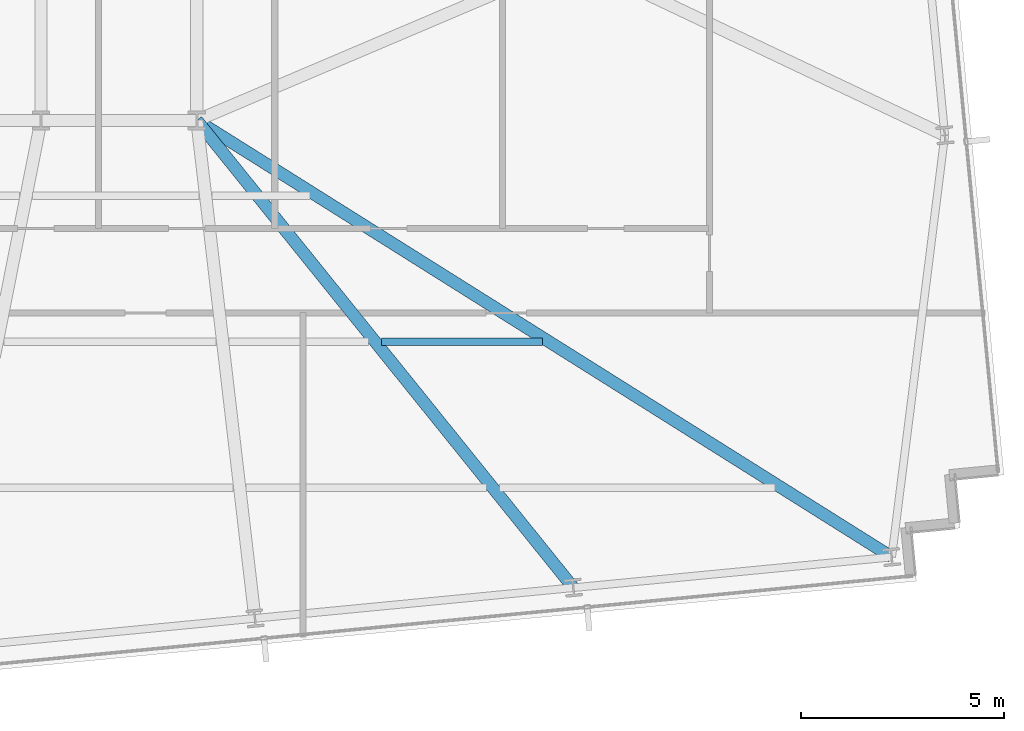
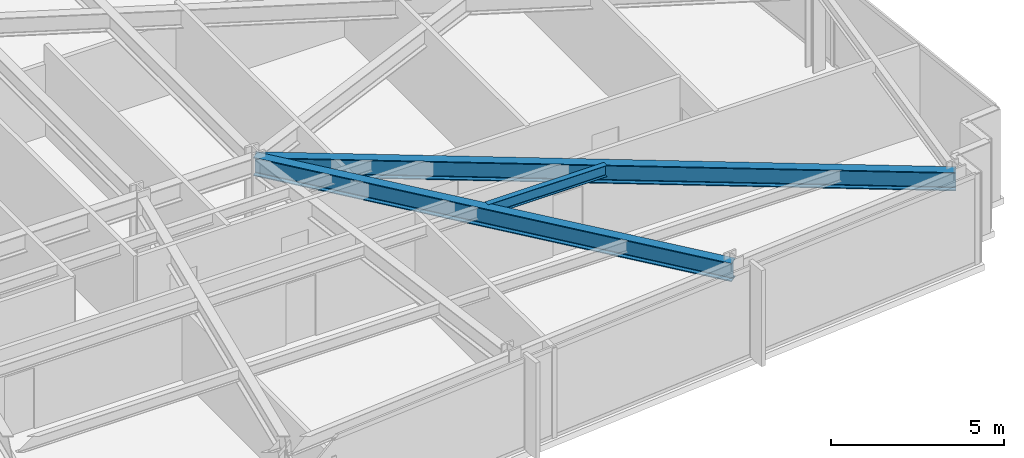
# One storey, part 13 of 33: 3 beams.
"""IFC4 building model written with IfcOpenShell, lengths in metres."""

from ifc_helpers import new_model, si_unit, direction, frame, origin, origin_2d, place, context, subcontext, project, spatial, i_section, extrude, material, material_profile, profile_set, type_object, element, save


model = new_model("IFC4")

# Units and contexts
model_context = context("Model", 3, precision=1e-05, world=origin(), true_north=direction((0.0, 1.0)))
body_context = subcontext(model_context, "Body", "Model", "MODEL_VIEW")
ifc_project = project(units=[si_unit("LENGTHUNIT", "METRE"), si_unit("AREAUNIT", "SQUARE_METRE"), si_unit("VOLUMEUNIT", "CUBIC_METRE"), si_unit("PLANEANGLEUNIT", "RADIAN"), si_unit("MASSUNIT", "GRAM", prefix="KILO")], contexts=[model_context])

# Site, building, storey
site_placement = place(None, origin())
site = spatial("IfcSite", under=ifc_project, at=site_placement, CompositionType="ELEMENT")
building_placement = place(site_placement, origin())
building = spatial("IfcBuilding", under=site, at=building_placement, Name="Yelkora Congress Tower", CompositionType="ELEMENT")
storey_placement = place(building_placement, frame((0.0, 0.0, 123.699951171875)))
storey = spatial("IfcBuildingStorey", under=building, at=storey_placement, Name="L33", CompositionType="ELEMENT", Elevation=123.699951171875)

# Beams
ifc_material = material(Name="Steel S355J2", Category="steel")
ifc_material_profile_1 = material_profile(ifc_material, i_section(OverallWidth=0.300048828125, OverallDepth=0.64990234375, WebThickness=0.01611328125, FlangeThickness=0.031005859375, FilletRadius=0.027099609375, at=origin_2d()), Name="HEB 650")
ifc_profile_set_1 = profile_set([ifc_material_profile_1], Name="Steel S355J2")
beam_type_1 = type_object("IfcBeamType", Name="BM-GIRD-HEB650", PredefinedType="BEAM", material=ifc_profile_set_1)
beam_1_placement = place(storey_placement, frame((66.882568359375, 13.67919921875, 2.85498046875), z_axis=(-0.627405981031, 0.778692323686, 0.0), x_axis=(-0.778692323686, -0.627405981031, 0.0)))
element("IfcBeam", 1, at=beam_1_placement, inside=storey, type_object=beam_type_1, Name="L33 Primary Frame Girder S07", PredefinedType="BEAM", context=body_context, shape_type="SweptSolid", body=[
    extrude(i_section(OverallWidth=0.300048828125, OverallDepth=0.64990234375, WebThickness=0.01611328125, FlangeThickness=0.031005859375, FilletRadius=0.027099609375, at=origin_2d()), origin(), (0.0, 0.0, 1.0), 14.794921875),
])
beam_2_placement = place(storey_placement, frame((74.73193359375, 14.43505859375, 2.85498046875), z_axis=(-0.846718708798, 0.532040814385, 0.0), x_axis=(-0.532040814385, -0.846718708798, 0.0)))
element("IfcBeam", 2, at=beam_2_placement, inside=storey, type_object=beam_type_1, Name="L33 Primary Frame Girder S08", PredefinedType="BEAM", context=body_context, shape_type="SweptSolid", body=[
    extrude(i_section(OverallWidth=0.300048828125, OverallDepth=0.64990234375, WebThickness=0.01611328125, FlangeThickness=0.031005859375, FilletRadius=0.027099609375, at=origin_2d()), origin(), (0.0, 0.0, 1.0), 20.233154296875),
])
ifc_material_profile_2 = material_profile(ifc_material, i_section(OverallWidth=0.179931640625, OverallDepth=0.39990234375, WebThickness=0.008544921875, FlangeThickness=0.013427734375, FilletRadius=0.02099609375, at=origin_2d()), Name="IPE 400")
ifc_profile_set_2 = profile_set([ifc_material_profile_2], Name="Steel S355J2")
beam_type_2 = type_object("IfcBeamType", Name="BM-JOIST-IPE400", PredefinedType="JOIST", material=ifc_profile_set_2)
beam_3_placement = place(storey_placement, frame((62.15576171875, 19.744384765625, 2.97998046875), z_axis=(1.0, 0.0, 0.0), x_axis=(0.0, 1.0, 0.0)))
element("IfcBeam", 3, at=beam_3_placement, inside=storey, type_object=beam_type_2, Name="L33 Composite Floor Joist 17", PredefinedType="JOIST", context=body_context, shape_type="SweptSolid", body=[
    extrude(i_section(OverallWidth=0.179931640625, OverallDepth=0.39990234375, WebThickness=0.008544921875, FlangeThickness=0.013427734375, FilletRadius=0.02099609375, at=origin_2d()), origin(), (0.0, 0.0, 1.0), 3.966552734375),
])

save(model, "model.ifc")
